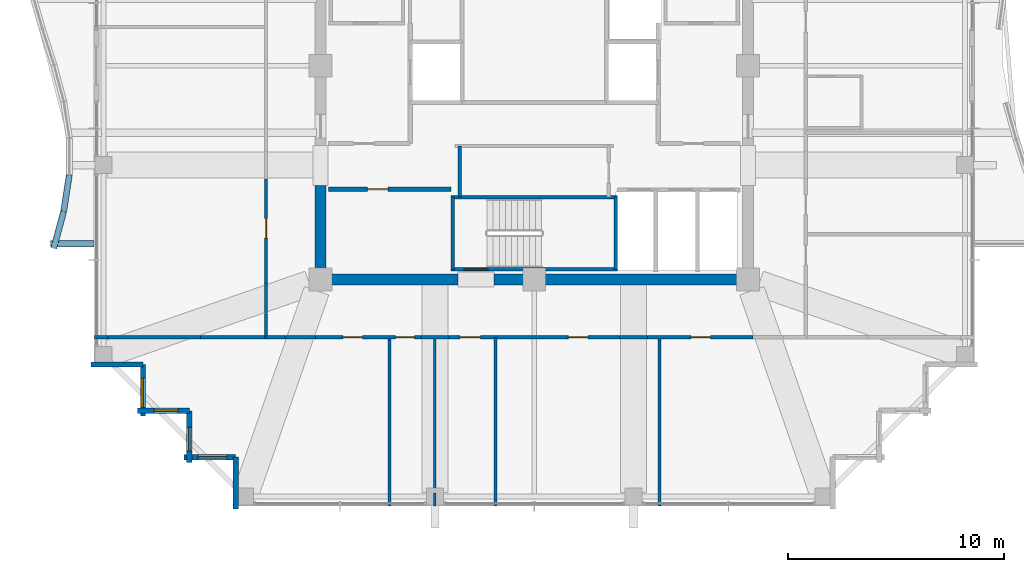
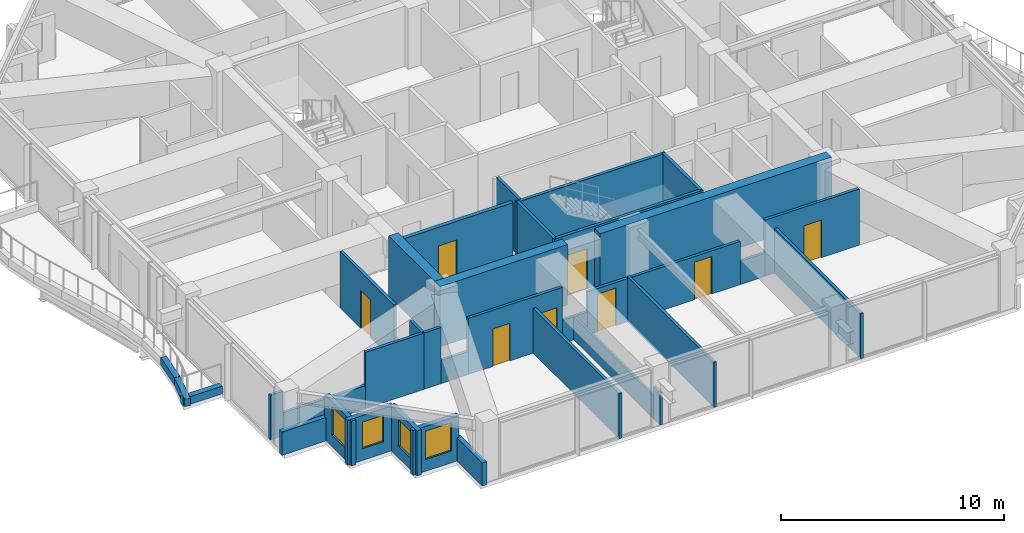
# One storey, part 29 of 35: 36 walls, 8 doors, 4 windows, 12 openings.
"""IFC4 building model written with IfcOpenShell, lengths in metres."""

from ifc_helpers import new_model, si_unit, direction, frame, frame_2d, origin, place, context, subcontext, project, spatial, rectangle, extrude, material, layer, layer_set, type_object, element, fill, save


model = new_model("IFC4")

# Units and contexts
model_context = context("Model", 3, precision=1e-05, world=origin(), true_north=direction((0.0, 1.0)))
body_context = subcontext(model_context, "Body", "Model", "MODEL_VIEW")
ifc_project = project(units=[si_unit("LENGTHUNIT", "METRE"), si_unit("AREAUNIT", "SQUARE_METRE"), si_unit("VOLUMEUNIT", "CUBIC_METRE"), si_unit("PLANEANGLEUNIT", "RADIAN"), si_unit("MASSUNIT", "GRAM", prefix="KILO")], contexts=[model_context])

# Site, building, storey
site_placement = place(None, origin())
site = spatial("IfcSite", under=ifc_project, at=site_placement, CompositionType="ELEMENT")
building_placement = place(site_placement, origin())
building = spatial("IfcBuilding", under=site, at=building_placement, Name="Kolvaren Belvedere", CompositionType="ELEMENT")
storey_placement = place(building_placement, frame((0.0, 0.0, 203.10009765625)))
storey = spatial("IfcBuildingStorey", under=building, at=storey_placement, Name="L59", CompositionType="ELEMENT", Elevation=203.10009765625)

# Walls
ifc_material_1 = material(Name="Concrete C50/60", Category="concrete")
ifc_layer_1 = layer(ifc_material_1, 0.5)
ifc_layer_set_1 = layer_set([ifc_layer_1], Name="Concrete C50/60")
wall_type_1 = type_object("IfcWallType", Name="CW-CORE-500", PredefinedType="SHEAR", material=ifc_layer_set_1)
wall_1_placement = place(storey_placement, frame((10.14990234375, -9.89990234375, 0.0), z_axis=(0.0, 0.0, 1.0), x_axis=(-1.0, 0.0, 0.0)))
element("IfcWall", 1, at=wall_1_placement, inside=storey, type_object=wall_type_1, Name="L59 South Core Shear Wall 1", PredefinedType="SHEAR", context=body_context, shape_type="SweptSolid", body=[
    extrude(rectangle(XDim=12.010009765625, YDim=0.5, at=frame_2d((6.0048828125, 0.0))), origin(), (0.0, 0.0, 1.0), 3.2998046875),
])
wall_2_placement = place(storey_placement, frame((-3.5400390625, -9.89990234375, 0.0), z_axis=(0.0, 0.0, 1.0), x_axis=(-1.0, 0.0, 0.0)))
element("IfcWall", 2, at=wall_2_placement, inside=storey, type_object=wall_type_1, Name="L59 South Core Shear Wall 2", PredefinedType="SHEAR", context=body_context, shape_type="SweptSolid", body=[
    extrude(rectangle(XDim=6.60986328125, YDim=0.5, at=frame_2d((3.304931640625, 0.0))), origin(), (0.0, 0.0, 1.0), 3.2998046875),
])
wall_3_placement = place(storey_placement, frame((-9.89990234375, -9.64990234375, 0.0), z_axis=(0.0, 0.0, 1.0), x_axis=(0.0, 1.0, 0.0)))
element("IfcWall", 3, at=wall_3_placement, inside=storey, type_object=wall_type_1, Name="L59 West Core Shear Wall 1", PredefinedType="SHEAR", context=body_context, shape_type="SweptSolid", body=[
    extrude(rectangle(XDim=4.099853515625, YDim=0.5, at=frame_2d((2.0498046875, 0.0))), origin(), (0.0, 0.0, 1.0), 3.2998046875),
])

# Wall, opening, door
ifc_material_2 = material(Name="Concrete C50/60", Category="concrete")
ifc_layer_2 = layer(ifc_material_2, 0.159912109375)
ifc_layer_set_2 = layer_set([ifc_layer_2], Name="Concrete C50/60")
wall_type_2 = type_object("IfcWallType", Name="CW-STAIR-160", PredefinedType="SHEAR", material=ifc_layer_set_2)
wall_4_placement = place(storey_placement, frame((3.860107421875, -9.429931640625, 0.0), z_axis=(0.0, 0.0, 1.0), x_axis=(-1.0, 0.0, 0.0)))
wall_4 = element("IfcWall", 4, at=wall_4_placement, inside=storey, type_object=wall_type_2, Name="L59 Stair ST-3 South Shear Wall", PredefinedType="SHEAR", context=body_context, shape_type="SweptSolid", body=[
    extrude(rectangle(XDim=7.72021484375, YDim=0.159912109375, at=frame_2d((3.860107421875, 0.0))), origin(), (0.0, 0.0, 1.0), 3.2998046875),
])
opening_1_placement = place(wall_4_placement, frame((6.010009765625, 0.0, 0.0)))
opening_1 = element("IfcOpeningElement", 5, at=opening_1_placement, cuts=wall_4, Name="Opening D-FD90", PredefinedType="OPENING", context=body_context, shape_type="SweptSolid", body=[
    extrude(rectangle(XDim=1.10009765625, YDim=2.199951171875, at=frame_2d((0.550048828125, 1.10009765625))), frame((0.0, 0.08984375, 0.0), z_axis=(0.0, -1.0, 0.0), x_axis=(1.0, 0.0, 0.0)), (0.0, 0.0, 1.0), 0.179931640625),
])
ifc_material_3 = material(Name="Painted hollow stainless steel", Category="steel")
door_type_1 = type_object("IfcDoorType", Name="DR-FD90-1100", OperationType="NOTDEFINED", PredefinedType="DOOR", material=ifc_material_3)
door_1_placement = place(opening_1_placement, origin())
door_1 = element("IfcDoor", 6, at=door_1_placement, inside=storey, type_object=door_type_1, Name="L59 Stair ST-3 Exit Door", OperationType="SINGLE_SWING_RIGHT", OverallHeight=2.199951171875, OverallWidth=1.10009765625, PredefinedType="DOOR", context=body_context, shape_type="SweptSolid", body=[
    extrude(rectangle(XDim=1.10009765625, YDim=2.199951171875, at=frame_2d((0.550048828125, 1.10009765625))), frame((0.0, 0.02490234375, 0.0), z_axis=(0.0, -1.0, 0.0), x_axis=(1.0, 0.0, 0.0)), (0.0, 0.0, 1.0), 0.050048828125),
])
fill(opening_1, door_1)

# Walls
wall_5_placement = place(storey_placement, frame((-3.860107421875, -6.080078125, 0.0), z_axis=(0.0, 0.0, 1.0), x_axis=(1.0, 0.0, 0.0)))
element("IfcWall", 7, at=wall_5_placement, inside=storey, type_object=wall_type_2, Name="L59 Stair ST-3 North Shear Wall", PredefinedType="SHEAR", context=body_context, shape_type="SweptSolid", body=[
    extrude(rectangle(XDim=7.72021484375, YDim=0.159912109375, at=frame_2d((3.860107421875, 0.0))), origin(), (0.0, 0.0, 1.0), 3.2998046875),
])
for number, where, z_axis, x_axis, name in (
    (8, (-3.780029296875, -9.429931640625, 0.0), (0.0, 0.0, 1.0), (0.0, 1.0, 0.0), "L59 Stair ST-3 West Shear Wall"),
    (9, (3.780029296875, -9.429931640625, 0.0), (0.0, 0.0, 1.0), (0.0, 1.0, 0.0), "L59 Stair ST-3 East Shear Wall"),
):
    element("IfcWall", number, at=place(storey_placement, frame(where, z_axis=z_axis, x_axis=x_axis)), inside=storey, type_object=wall_type_2, Name=name, PredefinedType="SHEAR", context=body_context, shape_type="SweptSolid", body=[
        extrude(rectangle(XDim=3.349853515625, YDim=0.159912109375, at=frame_2d((1.6748046875, 0.0))), origin(), (0.0, 0.0, 1.0), 3.2998046875),
    ])
ifc_material_4 = material(Name="Gypsum fire-rated partition assembly", Category="gypsum")
ifc_layer_3 = layer(ifc_material_4, 0.14990234375)
ifc_layer_set_3 = layer_set([ifc_layer_3], Name="Gypsum fire-rated partition assembly")
wall_type_3 = type_object("IfcWallType", Name="WL-CORR-150", PredefinedType="PARTITIONING", material=ifc_layer_set_3)
wall_6_placement = place(storey_placement, frame((-12.419921875, -12.580078125, 0.0), z_axis=(0.0, 0.0, 1.0), x_axis=(1.0, 0.0, 0.0)))
element("IfcWall", 10, at=wall_6_placement, inside=storey, type_object=wall_type_3, Name="L59 South Corridor Wall", PredefinedType="PARTITIONING", context=body_context, shape_type="SweptSolid", body=[
    extrude(rectangle(XDim=0.878173828125, YDim=0.14990234375, at=frame_2d((0.43896484375, 0.0))), origin(), (0.0, 0.0, 1.0), 3.079833984375),
])
wall_7_placement = place(storey_placement, frame((-11.541748046875, -12.580078125, 0.0), z_axis=(0.0, 0.0, 1.0), x_axis=(1.0, 0.0, 0.0)))
element("IfcWall", 11, at=wall_7_placement, inside=storey, type_object=wall_type_3, Name="L59 South Corridor Wall", PredefinedType="PARTITIONING", context=body_context, shape_type="SweptSolid", body=[
    extrude(rectangle(XDim=1.416748046875, YDim=0.14990234375, at=frame_2d((0.70849609375, 0.0))), origin(), (0.0, 0.0, 1.0), 1.264892578125),
])

# Wall, openings, doors
wall_8_placement = place(storey_placement, frame((-10.125, -12.580078125, 0.0), z_axis=(0.0, 0.0, 1.0), x_axis=(1.0, 0.0, 0.0)))
wall_8 = element("IfcWall", 12, at=wall_8_placement, inside=storey, type_object=wall_type_3, Name="L59 South Corridor Wall", PredefinedType="PARTITIONING", context=body_context, shape_type="SweptSolid", body=[
    extrude(rectangle(XDim=4.883056640625, YDim=0.14990234375, at=frame_2d((2.44140625, 0.0))), origin(), (0.0, 0.0, 1.0), 3.079833984375),
])
opening_2_placement = place(wall_8_placement, frame((1.264404296875, 0.0, 0.0)))
opening_2 = element("IfcOpeningElement", 13, at=opening_2_placement, cuts=wall_8, Name="Opening D-INT90", PredefinedType="OPENING", context=body_context, shape_type="SweptSolid", body=[
    extrude(rectangle(XDim=0.89990234375, YDim=2.06005859375, at=frame_2d((0.449951171875, 1.030029296875))), frame((0.0, 0.0849609375, 0.0), z_axis=(0.0, -1.0, 0.0), x_axis=(1.0, 0.0, 0.0)), (0.0, 0.0, 1.0), 0.169921875),
])
opening_3_placement = place(wall_8_placement, frame((3.689453125, 0.0, 0.0)))
opening_3 = element("IfcOpeningElement", 14, at=opening_3_placement, cuts=wall_8, Name="Opening D-INT90", PredefinedType="OPENING", context=body_context, shape_type="SweptSolid", body=[
    extrude(rectangle(XDim=0.89990234375, YDim=2.06005859375, at=frame_2d((0.449951171875, 1.030029296875))), frame((0.0, 0.0849609375, 0.0), z_axis=(0.0, -1.0, 0.0), x_axis=(1.0, 0.0, 0.0)), (0.0, 0.0, 1.0), 0.169921875),
])
ifc_material_5 = material(Name="Stained Pacific white oak", Category="timber")
door_type_2 = type_object("IfcDoorType", Name="DR-INT-900", OperationType="NOTDEFINED", PredefinedType="DOOR", material=ifc_material_5)
door_2_placement = place(opening_2_placement, origin())
door_2 = element("IfcDoor", 15, at=door_2_placement, inside=storey, type_object=door_type_2, Name="L59 Private Hospitality Meeting Room 5901 Door", OperationType="SINGLE_SWING_RIGHT", OverallHeight=2.06005859375, OverallWidth=0.89990234375, PredefinedType="DOOR", context=body_context, shape_type="SweptSolid", body=[
    extrude(rectangle(XDim=0.89990234375, YDim=2.06005859375, at=frame_2d((0.449951171875, 1.030029296875))), frame((0.0, 0.02490234375, 0.0), z_axis=(0.0, -1.0, 0.0), x_axis=(1.0, 0.0, 0.0)), (0.0, 0.0, 1.0), 0.050048828125),
])
fill(opening_2, door_2)
door_3_placement = place(opening_3_placement, origin())
door_3 = element("IfcDoor", 16, at=door_3_placement, inside=storey, type_object=door_type_2, Name="L59 Housekeeping Door", OperationType="SINGLE_SWING_LEFT", OverallHeight=2.06005859375, OverallWidth=0.89990234375, PredefinedType="DOOR", context=body_context, shape_type="SweptSolid", body=[
    extrude(rectangle(XDim=0.89990234375, YDim=2.06005859375, at=frame_2d((0.449951171875, 1.030029296875))), frame((0.0, 0.02490234375, 0.0), z_axis=(0.0, -1.0, 0.0), x_axis=(1.0, 0.0, 0.0)), (0.0, 0.0, 1.0), 0.050048828125),
])
fill(opening_3, door_3)

# Wall
wall_9_placement = place(storey_placement, frame((-5.241943359375, -12.580078125, 0.0), z_axis=(0.0, 0.0, 1.0), x_axis=(1.0, 0.0, 0.0)))
element("IfcWall", 17, at=wall_9_placement, inside=storey, type_object=wall_type_3, Name="L59 South Corridor Wall", PredefinedType="PARTITIONING", context=body_context, shape_type="SweptSolid", body=[
    extrude(rectangle(XDim=1.283935546875, YDim=0.14990234375, at=frame_2d((0.64208984375, 0.0))), origin(), (0.0, 0.0, 1.0), 1.264892578125),
])

# Wall, openings, doors
wall_10_placement = place(storey_placement, frame((-3.9580078125, -12.580078125, 0.0), z_axis=(0.0, 0.0, 1.0), x_axis=(1.0, 0.0, 0.0)))
wall_10 = element("IfcWall", 18, at=wall_10_placement, inside=storey, type_object=wall_type_3, Name="L59 South Corridor Wall", PredefinedType="PARTITIONING", context=body_context, shape_type="SweptSolid", body=[
    extrude(rectangle(XDim=7.916015625, YDim=0.14990234375, at=frame_2d((3.9580078125, 0.0))), origin(), (0.0, 0.0, 1.0), 2.368896484375),
])
opening_4_placement = place(wall_10_placement, frame((0.521484375, 0.0, 0.0)))
opening_4 = element("IfcOpeningElement", 19, at=opening_4_placement, cuts=wall_10, Name="Opening D-INT95", PredefinedType="OPENING", context=body_context, shape_type="SweptSolid", body=[
    extrude(rectangle(XDim=0.949951171875, YDim=2.06005859375, at=frame_2d((0.47509765625, 1.030029296875))), frame((0.0, 0.0849609375, 0.0), z_axis=(0.0, -1.0, 0.0), x_axis=(1.0, 0.0, 0.0)), (0.0, 0.0, 1.0), 0.169921875),
])
opening_5_placement = place(wall_10_placement, frame((5.5380859375, 0.0, 0.0)))
opening_5 = element("IfcOpeningElement", 20, at=opening_5_placement, cuts=wall_10, Name="Opening D-INT90", PredefinedType="OPENING", context=body_context, shape_type="SweptSolid", body=[
    extrude(rectangle(XDim=0.89990234375, YDim=2.06005859375, at=frame_2d((0.449951171875, 1.030029296875))), frame((0.0, 0.0849609375, 0.0), z_axis=(0.0, -1.0, 0.0), x_axis=(1.0, 0.0, 0.0)), (0.0, 0.0, 1.0), 0.169921875),
])
door_4_placement = place(opening_5_placement, origin())
door_4 = element("IfcDoor", 21, at=door_4_placement, inside=storey, type_object=door_type_2, Name="L59 Panoramic Quiet Lounge 5902 Door", OperationType="SINGLE_SWING_LEFT", OverallHeight=2.06005859375, OverallWidth=0.89990234375, PredefinedType="DOOR", context=body_context, shape_type="SweptSolid", body=[
    extrude(rectangle(XDim=0.89990234375, YDim=2.06005859375, at=frame_2d((0.449951171875, 1.030029296875))), frame((0.0, 0.02490234375, 0.0), z_axis=(0.0, -1.0, 0.0), x_axis=(1.0, 0.0, 0.0)), (0.0, 0.0, 1.0), 0.050048828125),
])
fill(opening_5, door_4)
ifc_material_6 = material(Name="Stained Pacific white oak", Category="timber")
door_type_3 = type_object("IfcDoorType", Name="DR-INT-950", OperationType="NOTDEFINED", PredefinedType="DOOR", material=ifc_material_6)
door_5_placement = place(opening_4_placement, origin())
door_5 = element("IfcDoor", 22, at=door_5_placement, inside=storey, type_object=door_type_3, Name="L59 Accessible Washroom Door", OperationType="SINGLE_SWING_RIGHT", OverallHeight=2.06005859375, OverallWidth=0.949951171875, PredefinedType="DOOR", context=body_context, shape_type="SweptSolid", body=[
    extrude(rectangle(XDim=0.949951171875, YDim=2.06005859375, at=frame_2d((0.47509765625, 1.030029296875))), frame((0.0, 0.02490234375, 0.0), z_axis=(0.0, -1.0, 0.0), x_axis=(1.0, 0.0, 0.0)), (0.0, 0.0, 1.0), 0.050048828125),
])
fill(opening_4, door_5)

# Wall
wall_11_placement = place(storey_placement, frame((3.9580078125, -12.580078125, 0.0), z_axis=(0.0, 0.0, 1.0), x_axis=(1.0, 0.0, 0.0)))
element("IfcWall", 23, at=wall_11_placement, inside=storey, type_object=wall_type_3, Name="L59 South Corridor Wall", PredefinedType="PARTITIONING", context=body_context, shape_type="SweptSolid", body=[
    extrude(rectangle(XDim=1.283935546875, YDim=0.14990234375, at=frame_2d((0.64208984375, 0.0))), origin(), (0.0, 0.0, 1.0), 1.264892578125),
])

# Wall, opening, door
wall_12_placement = place(storey_placement, frame((5.241943359375, -12.580078125, 0.0), z_axis=(0.0, 0.0, 1.0), x_axis=(1.0, 0.0, 0.0)))
wall_12 = element("IfcWall", 24, at=wall_12_placement, inside=storey, type_object=wall_type_3, Name="L59 South Corridor Wall", PredefinedType="PARTITIONING", context=body_context, shape_type="SweptSolid", body=[
    extrude(rectangle(XDim=4.883056640625, YDim=0.14990234375, at=frame_2d((2.44140625, 0.0))), origin(), (0.0, 0.0, 1.0), 3.079833984375),
])
opening_6_placement = place(wall_12_placement, frame((2.017333984375, 0.0, 0.0)))
opening_6 = element("IfcOpeningElement", 25, at=opening_6_placement, cuts=wall_12, Name="Opening D-INT90", PredefinedType="OPENING", context=body_context, shape_type="SweptSolid", body=[
    extrude(rectangle(XDim=0.89990234375, YDim=2.06005859375, at=frame_2d((0.449951171875, 1.030029296875))), frame((0.0, 0.0849609375, 0.0), z_axis=(0.0, -1.0, 0.0), x_axis=(1.0, 0.0, 0.0)), (0.0, 0.0, 1.0), 0.169921875),
])
door_6_placement = place(opening_6_placement, origin())
door_6 = element("IfcDoor", 26, at=door_6_placement, inside=storey, type_object=door_type_2, Name="L59 Botanical Reading Salon 5903 Door", OperationType="SINGLE_SWING_RIGHT", OverallHeight=2.06005859375, OverallWidth=0.89990234375, PredefinedType="DOOR", context=body_context, shape_type="SweptSolid", body=[
    extrude(rectangle(XDim=0.89990234375, YDim=2.06005859375, at=frame_2d((0.449951171875, 1.030029296875))), frame((0.0, 0.02490234375, 0.0), z_axis=(0.0, -1.0, 0.0), x_axis=(1.0, 0.0, 0.0)), (0.0, 0.0, 1.0), 0.050048828125),
])
fill(opening_6, door_6)

# Walls
wall_13_placement = place(storey_placement, frame((-12.419921875, -12.580078125, 0.0), z_axis=(0.0, 0.0, 1.0), x_axis=(0.0, 1.0, 0.0)))
element("IfcWall", 27, at=wall_13_placement, inside=storey, type_object=wall_type_3, Name="L59 West Corridor Wall", PredefinedType="PARTITIONING", context=body_context, shape_type="SweptSolid", body=[
    extrude(rectangle(XDim=1.093994140625, YDim=0.14990234375, at=frame_2d((0.546875, 0.0))), origin(), (0.0, 0.0, 1.0), 3.079833984375),
])
wall_14_placement = place(storey_placement, frame((-12.419921875, -11.486083984375, 0.0), z_axis=(0.0, 0.0, 1.0), x_axis=(0.0, 1.0, 0.0)))
element("IfcWall", 28, at=wall_14_placement, inside=storey, type_object=wall_type_3, Name="L59 West Corridor Wall", PredefinedType="PARTITIONING", context=body_context, shape_type="SweptSolid", body=[
    extrude(rectangle(XDim=1.416748046875, YDim=0.14990234375, at=frame_2d((0.70849609375, 0.0))), origin(), (0.0, 0.0, 1.0), 1.264892578125),
])

# Wall, opening, door
wall_15_placement = place(storey_placement, frame((-12.419921875, -10.0693359375, 0.0), z_axis=(0.0, 0.0, 1.0), x_axis=(0.0, 1.0, 0.0)))
wall_15 = element("IfcWall", 29, at=wall_15_placement, inside=storey, type_object=wall_type_3, Name="L59 West Corridor Wall", PredefinedType="PARTITIONING", context=body_context, shape_type="SweptSolid", body=[
    extrude(rectangle(XDim=4.827392578125, YDim=0.14990234375, at=frame_2d((2.41357421875, 0.0))), origin(), (0.0, 0.0, 1.0), 3.079833984375),
])
opening_7_placement = place(wall_15_placement, frame((2.084228515625, 0.0, 0.0)))
opening_7 = element("IfcOpeningElement", 30, at=opening_7_placement, cuts=wall_15, Name="Opening D-INT90", PredefinedType="OPENING", context=body_context, shape_type="SweptSolid", body=[
    extrude(rectangle(XDim=0.89990234375, YDim=2.06005859375, at=frame_2d((0.449951171875, 1.030029296875))), frame((0.0, 0.0849609375, 0.0), z_axis=(0.0, -1.0, 0.0), x_axis=(1.0, 0.0, 0.0)), (0.0, 0.0, 1.0), 0.169921875),
])
door_7_placement = place(opening_7_placement, origin())
door_7 = element("IfcDoor", 31, at=door_7_placement, inside=storey, type_object=door_type_2, Name="L59 Lounge 5908 Door", OperationType="SINGLE_SWING_RIGHT", OverallHeight=2.06005859375, OverallWidth=0.89990234375, PredefinedType="DOOR", context=body_context, shape_type="SweptSolid", body=[
    extrude(rectangle(XDim=0.89990234375, YDim=2.06005859375, at=frame_2d((0.449951171875, 1.030029296875))), frame((0.0, 0.02490234375, 0.0), z_axis=(0.0, -1.0, 0.0), x_axis=(1.0, 0.0, 0.0)), (0.0, 0.0, 1.0), 0.050048828125),
])
fill(opening_7, door_7)

# Wall
ifc_material_7 = material(Name="Insulated pale-metal facade wall assembly", Category="aluminium")
ifc_layer_4 = layer(ifc_material_7, 0.239990234375)
ifc_layer_set_4 = layer_set([ifc_layer_4], Name="Insulated pale-metal facade wall assembly")
wall_type_4 = type_object("IfcWallType", Name="WL-EXT-240", PredefinedType="STANDARD", material=ifc_layer_set_4)
wall_16_placement = place(storey_placement, frame((-18.1298828125, -13.830078125, 0.0), z_axis=(0.0, 0.0, 1.0), x_axis=(-1.0, 0.0, 0.0)))
element("IfcWall", 32, at=wall_16_placement, inside=storey, type_object=wall_type_4, Name="L59 Serrated Corner Facade Wall 23", PredefinedType="STANDARD", context=body_context, shape_type="SweptSolid", body=[
    extrude(rectangle(XDim=2.39013671875, YDim=0.239990234375, at=frame_2d((1.195068359375, 0.0))), origin(), (0.0, 0.0, 1.0), 1.27490234375),
])

# Wall, opening, window
wall_17_placement = place(storey_placement, frame((-18.1298828125, -16.219970703125, 0.0), z_axis=(0.0, 0.0, 1.0), x_axis=(0.0, 1.0, 0.0)))
wall_17 = element("IfcWall", 33, at=wall_17_placement, inside=storey, type_object=wall_type_4, Name="L59 Serrated Corner Facade Wall 24", PredefinedType="STANDARD", context=body_context, shape_type="SweptSolid", body=[
    extrude(rectangle(XDim=2.389892578125, YDim=0.239990234375, at=frame_2d((1.19482421875, 0.0))), origin(), (0.0, 0.0, 1.0), 2.462890625),
])
opening_8_placement = place(wall_17_placement, frame((0.39990234375, 0.0, 0.64990234375)))
opening_8 = element("IfcOpeningElement", 34, at=opening_8_placement, cuts=wall_17, Name="Opening W-1350", PredefinedType="OPENING", context=body_context, shape_type="SweptSolid", body=[
    extrude(rectangle(XDim=1.35009765625, YDim=1.550048828125, at=frame_2d((0.675048828125, 0.77490234375))), frame((0.0, 0.1298828125, 0.0), z_axis=(0.0, -1.0, 0.0), x_axis=(1.0, 0.0, 0.0)), (0.0, 0.0, 1.0), 0.260009765625),
])
ifc_material_8 = material(Name="Low-iron triple insulated glass", Category="glass")
window_type_1 = type_object("IfcWindowType", Name="WN-CORN-1350", PartitioningType="SINGLE_PANEL", PredefinedType="WINDOW", material=ifc_material_8)
window_1_placement = place(opening_8_placement, origin())
window_1 = element("IfcWindow", 35, at=window_1_placement, inside=storey, type_object=window_type_1, Name="L59 Serrated Corner Vision Window 24", OverallHeight=1.550048828125, OverallWidth=1.35009765625, PartitioningType="SINGLE_PANEL", PredefinedType="WINDOW", context=body_context, shape_type="SweptSolid", body=[
    extrude(rectangle(XDim=1.35009765625, YDim=1.550048828125, at=frame_2d((0.675048828125, 0.77490234375))), frame((0.0, 0.030029296875, 0.0), z_axis=(0.0, -1.0, 0.0), x_axis=(1.0, 0.0, 0.0)), (0.0, 0.0, 1.0), 0.06005859375),
])
fill(opening_8, window_1)

wall_18_placement = place(storey_placement, frame((-15.97998046875, -15.97998046875, 0.0), z_axis=(0.0, 0.0, 1.0), x_axis=(-1.0, 0.0, 0.0)))
wall_18 = element("IfcWall", 36, at=wall_18_placement, inside=storey, type_object=wall_type_4, Name="L59 Serrated Corner Facade Wall 25", PredefinedType="STANDARD", context=body_context, shape_type="SweptSolid", body=[
    extrude(rectangle(XDim=2.39013671875, YDim=0.239990234375, at=frame_2d((1.195068359375, 0.0))), origin(), (0.0, 0.0, 1.0), 2.462890625),
])
opening_9_placement = place(wall_18_placement, frame((0.52490234375, 0.0, 0.64990234375)))
opening_9 = element("IfcOpeningElement", 37, at=opening_9_placement, cuts=wall_18, Name="Opening W-1100", PredefinedType="OPENING", context=body_context, shape_type="SweptSolid", body=[
    extrude(rectangle(XDim=1.10009765625, YDim=1.449951171875, at=frame_2d((0.550048828125, 0.72509765625))), frame((0.0, 0.1298828125, 0.0), z_axis=(0.0, -1.0, 0.0), x_axis=(1.0, 0.0, 0.0)), (0.0, 0.0, 1.0), 0.260009765625),
])
ifc_material_9 = material(Name="Low-iron triple insulated glass", Category="glass")
window_type_2 = type_object("IfcWindowType", Name="WN-CORN-1100", PartitioningType="SINGLE_PANEL", PredefinedType="WINDOW", material=ifc_material_9)
window_2_placement = place(opening_9_placement, origin())
window_2 = element("IfcWindow", 38, at=window_2_placement, inside=storey, type_object=window_type_2, Name="L59 Serrated Corner Vision Window 25", OverallHeight=1.449951171875, OverallWidth=1.10009765625, PartitioningType="SINGLE_PANEL", PredefinedType="WINDOW", context=body_context, shape_type="SweptSolid", body=[
    extrude(rectangle(XDim=1.10009765625, YDim=1.449951171875, at=frame_2d((0.550048828125, 0.72509765625))), frame((0.0, 0.030029296875, 0.0), z_axis=(0.0, -1.0, 0.0), x_axis=(1.0, 0.0, 0.0)), (0.0, 0.0, 1.0), 0.06005859375),
])
fill(opening_9, window_2)

wall_19_placement = place(storey_placement, frame((-15.97998046875, -18.3701171875, 0.0), z_axis=(0.0, 0.0, 1.0), x_axis=(0.0, 1.0, 0.0)))
wall_19 = element("IfcWall", 39, at=wall_19_placement, inside=storey, type_object=wall_type_4, Name="L59 Serrated Corner Facade Wall 26", PredefinedType="STANDARD", context=body_context, shape_type="SweptSolid", body=[
    extrude(rectangle(XDim=2.39013671875, YDim=0.239990234375, at=frame_2d((1.195068359375, 0.0))), origin(), (0.0, 0.0, 1.0), 2.462890625),
])
opening_10_placement = place(wall_19_placement, frame((0.52490234375, 0.0, 0.64990234375)))
opening_10 = element("IfcOpeningElement", 40, at=opening_10_placement, cuts=wall_19, Name="Opening W-1100", PredefinedType="OPENING", context=body_context, shape_type="SweptSolid", body=[
    extrude(rectangle(XDim=1.10009765625, YDim=1.449951171875, at=frame_2d((0.550048828125, 0.72509765625))), frame((0.0, 0.1298828125, 0.0), z_axis=(0.0, -1.0, 0.0), x_axis=(1.0, 0.0, 0.0)), (0.0, 0.0, 1.0), 0.260009765625),
])
window_3_placement = place(opening_10_placement, origin())
window_3 = element("IfcWindow", 41, at=window_3_placement, inside=storey, type_object=window_type_2, Name="L59 Serrated Corner Vision Window 26", OverallHeight=1.449951171875, OverallWidth=1.10009765625, PartitioningType="SINGLE_PANEL", PredefinedType="WINDOW", context=body_context, shape_type="SweptSolid", body=[
    extrude(rectangle(XDim=1.10009765625, YDim=1.449951171875, at=frame_2d((0.550048828125, 0.72509765625))), frame((0.0, 0.030029296875, 0.0), z_axis=(0.0, -1.0, 0.0), x_axis=(1.0, 0.0, 0.0)), (0.0, 0.0, 1.0), 0.06005859375),
])
fill(opening_10, window_3)

wall_20_placement = place(storey_placement, frame((-13.830078125, -18.1298828125, 0.0), z_axis=(0.0, 0.0, 1.0), x_axis=(-1.0, 0.0, 0.0)))
wall_20 = element("IfcWall", 42, at=wall_20_placement, inside=storey, type_object=wall_type_4, Name="L59 Serrated Corner Facade Wall 27", PredefinedType="STANDARD", context=body_context, shape_type="SweptSolid", body=[
    extrude(rectangle(XDim=2.389892578125, YDim=0.239990234375, at=frame_2d((1.19482421875, 0.0))), origin(), (0.0, 0.0, 1.0), 2.462890625),
])
opening_11_placement = place(wall_20_placement, frame((0.39990234375, 0.0, 0.64990234375)))
opening_11 = element("IfcOpeningElement", 43, at=opening_11_placement, cuts=wall_20, Name="Opening W-1350", PredefinedType="OPENING", context=body_context, shape_type="SweptSolid", body=[
    extrude(rectangle(XDim=1.35009765625, YDim=1.550048828125, at=frame_2d((0.675048828125, 0.77490234375))), frame((0.0, 0.1298828125, 0.0), z_axis=(0.0, -1.0, 0.0), x_axis=(1.0, 0.0, 0.0)), (0.0, 0.0, 1.0), 0.260009765625),
])
window_4_placement = place(opening_11_placement, origin())
window_4 = element("IfcWindow", 44, at=window_4_placement, inside=storey, type_object=window_type_1, Name="L59 Serrated Corner Vision Window 27", OverallHeight=1.550048828125, OverallWidth=1.35009765625, PartitioningType="SINGLE_PANEL", PredefinedType="WINDOW", context=body_context, shape_type="SweptSolid", body=[
    extrude(rectangle(XDim=1.35009765625, YDim=1.550048828125, at=frame_2d((0.675048828125, 0.77490234375))), frame((0.0, 0.030029296875, 0.0), z_axis=(0.0, -1.0, 0.0), x_axis=(1.0, 0.0, 0.0)), (0.0, 0.0, 1.0), 0.06005859375),
])
fill(opening_11, window_4)

# Walls
wall_21_placement = place(storey_placement, frame((-13.830078125, -20.52001953125, 0.0), z_axis=(0.0, 0.0, 1.0), x_axis=(0.0, 1.0, 0.0)))
element("IfcWall", 45, at=wall_21_placement, inside=storey, type_object=wall_type_4, Name="L59 Serrated Corner Facade Wall 28", PredefinedType="STANDARD", context=body_context, shape_type="SweptSolid", body=[
    extrude(rectangle(XDim=2.39013671875, YDim=0.239990234375, at=frame_2d((1.195068359375, 0.0))), origin(), (0.0, 0.0, 1.0), 1.27490234375),
])
ifc_material_10 = material(Name="Gypsum acoustic partition assembly", Category="gypsum")
ifc_layer_5 = layer(ifc_material_10, 0.14990234375)
ifc_layer_set_5 = layer_set([ifc_layer_5], Name="Gypsum acoustic partition assembly")
wall_type_5 = type_object("IfcWallType", Name="WL-PART-150", PredefinedType="PARTITIONING", material=ifc_layer_set_5)
wall_22_placement = place(storey_placement, frame((-3.449951171875, -6.080078125, 0.0), z_axis=(0.0, 0.0, 1.0), x_axis=(0.0, 1.0, 0.0)))
element("IfcWall", 46, at=wall_22_placement, inside=storey, type_object=wall_type_5, Name="L59 South Core Service West Wall", PredefinedType="PARTITIONING", context=body_context, shape_type="SweptSolid", body=[
    extrude(rectangle(XDim=2.360107421875, YDim=0.14990234375, at=frame_2d((1.18017578125, 0.0))), origin(), (0.0, 0.0, 1.0), 3.079833984375),
])
wall_23_placement = place(storey_placement, frame((-20.3798828125, -12.580078125, 0.0), z_axis=(0.0, 0.0, 1.0), x_axis=(1.0, 0.0, 0.0)))
element("IfcWall", 47, at=wall_23_placement, inside=storey, type_object=wall_type_5, Name="L59 Wing Divider PW-L59-QSW", PredefinedType="PARTITIONING", context=body_context, shape_type="SweptSolid", body=[
    extrude(rectangle(XDim=0.643798828125, YDim=0.14990234375, at=frame_2d((0.32177734375, 0.0))), origin(), (0.0, 0.0, 1.0), 2.452880859375),
])
wall_24_placement = place(storey_placement, frame((-19.736083984375, -12.580078125, 0.0), z_axis=(0.0, 0.0, 1.0), x_axis=(1.0, 0.0, 0.0)))
element("IfcWall", 48, at=wall_24_placement, inside=storey, type_object=wall_type_5, Name="L59 Wing Divider PW-L59-QSW", PredefinedType="PARTITIONING", context=body_context, shape_type="SweptSolid", body=[
    extrude(rectangle(XDim=4.281494140625, YDim=0.14990234375, at=frame_2d((2.140625, 0.0))), origin(), (0.0, 0.0, 1.0), 1.264892578125),
])
wall_25_placement = place(storey_placement, frame((-15.45458984375, -12.580078125, 0.0), z_axis=(0.0, 0.0, 1.0), x_axis=(1.0, 0.0, 0.0)))
element("IfcWall", 49, at=wall_25_placement, inside=storey, type_object=wall_type_5, Name="L59 Wing Divider PW-L59-QSW", PredefinedType="PARTITIONING", context=body_context, shape_type="SweptSolid", body=[
    extrude(rectangle(XDim=3.03466796875, YDim=0.14990234375, at=frame_2d((1.517333984375, 0.0))), origin(), (0.0, 0.0, 1.0), 3.079833984375),
])
for number, where, z_axis, x_axis, name in (
    (50, (-6.699951171875, -20.3798828125, 0.0), (0.0, 0.0, 1.0), (0.0, 1.0, 0.0), "L59 South Suite Demising Wall 1"),
    (51, (-1.800048828125, -20.3798828125, 0.0), (0.0, 0.0, 1.0), (0.0, 1.0, 0.0), "L59 South Suite Demising Wall 2"),
    (52, (5.800048828125, -20.3798828125, 0.0), (0.0, 0.0, 1.0), (0.0, 1.0, 0.0), "L59 South Suite Demising Wall 3"),
):
    element("IfcWall", number, at=place(storey_placement, frame(where, z_axis=z_axis, x_axis=x_axis)), inside=storey, type_object=wall_type_5, Name=name, PredefinedType="PARTITIONING", context=body_context, shape_type="SweptSolid", body=[
        extrude(rectangle(XDim=7.7998046875, YDim=0.14990234375, at=frame_2d((3.89990234375, 0.0))), origin(), (0.0, 0.0, 1.0), 2.452880859375),
    ])
ifc_material_11 = material(Name="Precast concrete C40/50", Category="concrete")
ifc_layer_6 = layer(ifc_material_11, 0.300048828125)
ifc_layer_set_6 = layer_set([ifc_layer_6], Name="Precast concrete C40/50")
wall_type_6 = type_object("IfcWallType", Name="WL-PLANTER-300", PredefinedType="PARAPET", material=ifc_layer_set_6)
wall_26_placement = place(storey_placement, frame((-21.535888671875, -5.064453125, -0.0400390625), z_axis=(0.0, 0.0, 1.0), x_axis=(-0.152251460091, -0.988341789514, 0.0)))
element("IfcWall", 53, at=wall_26_placement, inside=storey, type_object=wall_type_6, Name="L59 Precast Structural Planter Wall BAL-W-9", PredefinedType="PARAPET", context=body_context, shape_type="SweptSolid", body=[
    extrude(rectangle(XDim=1.69970703125, YDim=0.280029296875, at=frame_2d((0.849853515625, 0.0))), origin(), (0.0, 0.0, 1.0), 0.419921875),
])
wall_27_placement = place(storey_placement, frame((-21.798095703125, -6.76171875, -0.0400390625), z_axis=(0.0, 0.0, 1.0), x_axis=(-0.260682852326, -0.965424492388, 0.0)))
element("IfcWall", 54, at=wall_27_placement, inside=storey, type_object=wall_type_6, Name="L59 Precast Structural Planter Wall BAL-W-10", PredefinedType="PARAPET", context=body_context, shape_type="SweptSolid", body=[
    extrude(rectangle(XDim=1.739990234375, YDim=0.280029296875, at=frame_2d((0.8701171875, 0.0))), origin(), (0.0, 0.0, 1.0), 0.419921875),
])
wall_28_placement = place(storey_placement, frame((-22.40625, -8.239990234375, -0.0400390625), z_axis=(0.0, 0.0, 1.0), x_axis=(1.0, 0.0, 0.0)))
element("IfcWall", 55, at=wall_28_placement, inside=storey, type_object=wall_type_6, Name="L59 Precast Structural Planter Wall BAL-W-11", PredefinedType="PARAPET", context=body_context, shape_type="SweptSolid", body=[
    extrude(rectangle(XDim=2.00634765625, YDim=0.280029296875, at=frame_2d((1.003173828125, 0.0))), origin(), (0.0, 0.0, 1.0), 0.419921875),
])

# Wall, opening, door
ifc_material_12 = material(Name="Concrete C50/60", Category="concrete")
ifc_layer_7 = layer(ifc_material_12, 0.199951171875)
ifc_layer_set_7 = layer_set([ifc_layer_7], Name="Concrete C50/60")
wall_type_7 = type_object("IfcWallType", Name="WL-SHAFT-200", PredefinedType="SOLIDWALL", material=ifc_layer_set_7)
wall_29_placement = place(storey_placement, frame((-9.52001953125, -5.719970703125, 0.0), z_axis=(0.0, 0.0, 1.0), x_axis=(1.0, 0.0, 0.0)))
wall_29 = element("IfcWall", 56, at=wall_29_placement, inside=storey, type_object=wall_type_7, Name="L59 Reclaimed Mid Room North Wall", PredefinedType="SOLIDWALL", context=body_context, shape_type="SweptSolid", body=[
    extrude(rectangle(XDim=5.659912109375, YDim=0.199951171875, at=frame_2d((2.830078125, 0.0))), origin(), (0.0, 0.0, 1.0), 3.079833984375),
])
opening_12_placement = place(wall_29_placement, frame((1.800048828125, 0.0, 0.0)))
opening_12 = element("IfcOpeningElement", 57, at=opening_12_placement, cuts=wall_29, Name="Opening D-FD60", PredefinedType="OPENING", context=body_context, shape_type="SweptSolid", body=[
    extrude(rectangle(XDim=0.949951171875, YDim=2.06005859375, at=frame_2d((0.47509765625, 1.030029296875))), frame((0.0, 0.10986328125, 0.0), z_axis=(0.0, -1.0, 0.0), x_axis=(1.0, 0.0, 0.0)), (0.0, 0.0, 1.0), 0.219970703125),
])
ifc_material_13 = material(Name="Acoustic white-oak fire door leaf", Category="timber")
door_type_4 = type_object("IfcDoorType", Name="DR-FD60-950", OperationType="NOTDEFINED", PredefinedType="DOOR", material=ifc_material_13)
door_8_placement = place(opening_12_placement, origin())
door_8 = element("IfcDoor", 58, at=door_8_placement, inside=storey, type_object=door_type_4, Name="L59 Sky Sommelier & Tasting Room Entry Door", OperationType="SINGLE_SWING_LEFT", OverallHeight=2.06005859375, OverallWidth=0.949951171875, PredefinedType="DOOR", context=body_context, shape_type="SweptSolid", body=[
    extrude(rectangle(XDim=0.949951171875, YDim=2.06005859375, at=frame_2d((0.47509765625, 1.030029296875))), frame((0.0, 0.02490234375, 0.0), z_axis=(0.0, -1.0, 0.0), x_axis=(1.0, 0.0, 0.0)), (0.0, 0.0, 1.0), 0.050048828125),
])
fill(opening_12, door_8)

# Walls
ifc_material_14 = material(Name="Moisture-resistant gypsum partition", Category="gypsum")
ifc_layer_8 = layer(ifc_material_14, 0.125)
ifc_layer_set_8 = layer_set([ifc_layer_8], Name="Moisture-resistant gypsum partition")
wall_type_8 = type_object("IfcWallType", Name="WL-WET-125", PredefinedType="PARTITIONING", material=ifc_layer_set_8)
wall_30_placement = place(storey_placement, frame((-4.60693359375, -20.3798828125, 0.0), z_axis=(0.0, 0.0, 1.0), x_axis=(0.0, 1.0, 0.0)))
element("IfcWall", 59, at=wall_30_placement, inside=storey, type_object=wall_type_8, Name="L59 Housekeeping Washroom Divider", PredefinedType="PARTITIONING", context=body_context, shape_type="SweptSolid", body=[
    extrude(rectangle(XDim=0.579833984375, YDim=0.125, at=frame_2d((0.2900390625, 0.0))), origin(), (0.0, 0.0, 1.0), 1.77880859375),
])
wall_31_placement = place(storey_placement, frame((-4.60693359375, -19.800048828125, 0.0), z_axis=(0.0, 0.0, 1.0), x_axis=(0.0, 1.0, 0.0)))
element("IfcWall", 60, at=wall_31_placement, inside=storey, type_object=wall_type_8, Name="L59 Housekeeping Washroom Divider", PredefinedType="PARTITIONING", context=body_context, shape_type="SweptSolid", body=[
    extrude(rectangle(XDim=7.2451171875, YDim=0.125, at=frame_2d((3.62255859375, 0.0))), origin(), (0.0, 0.0, 1.0), 1.264892578125),
])

save(model, "model.ifc")
